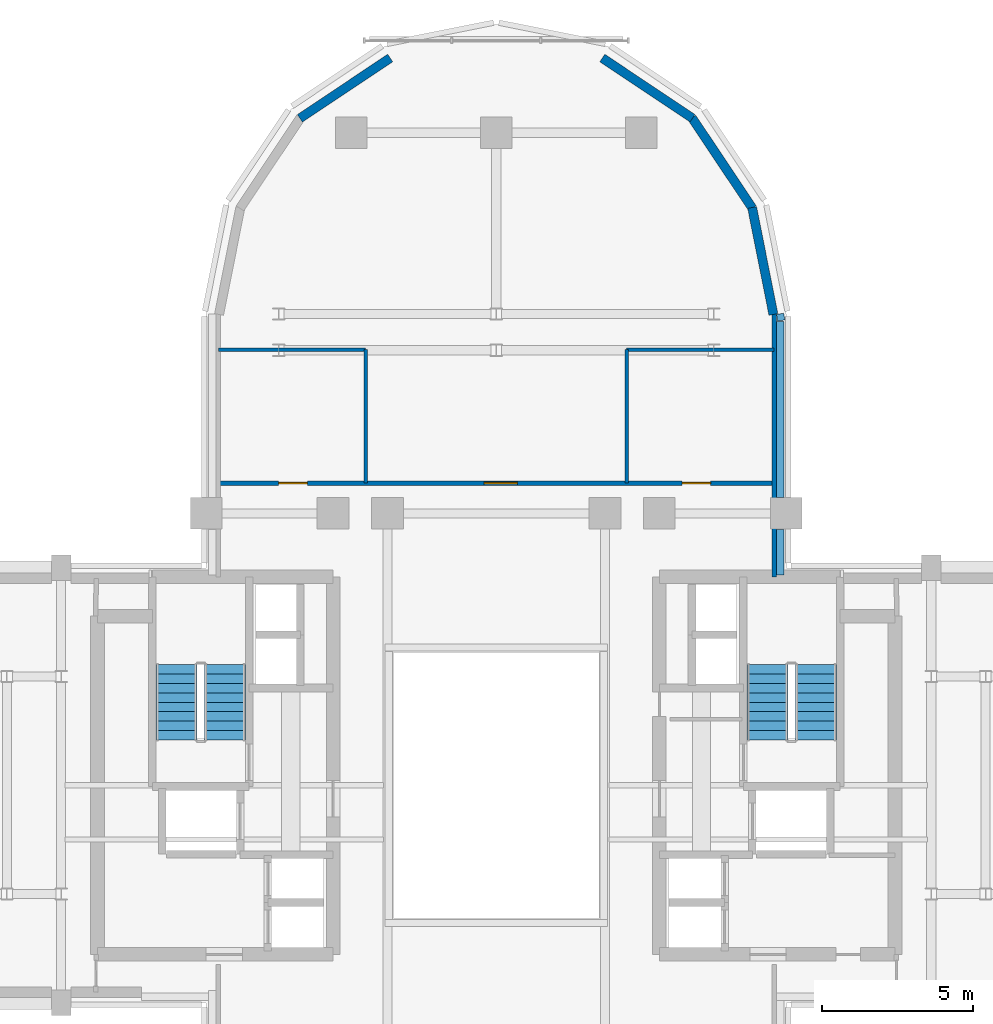
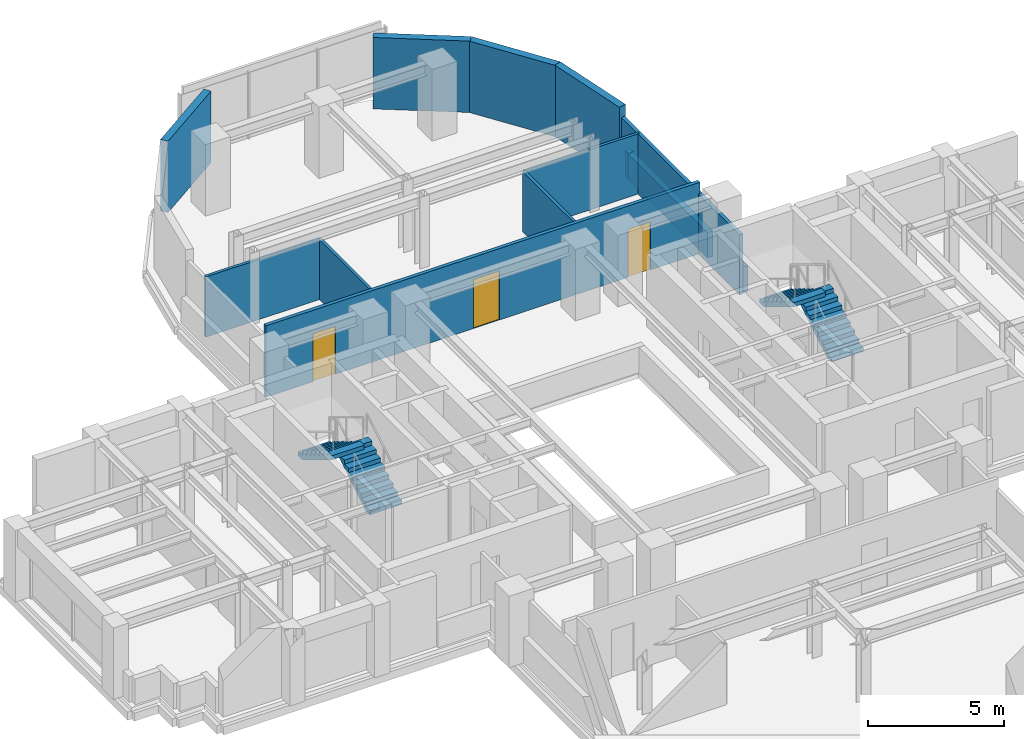
# One storey, part 10 of 13: 13 walls, 4 stair flights, 3 doors, 3 openings, 2 elements without a shape of their own.
"""IFC4 building model written with IfcOpenShell, lengths in metres."""

from ifc_helpers import new_model, si_unit, direction, frame, frame_2d, origin, place, context, subcontext, project, spatial, polyline, rectangle, outline, extrude, source, transform, mapped, material, layer, layer_set, type_object, element, fill, aggregate, save


model = new_model("IFC4")

# Units and contexts
model_context = context("Model", 3, precision=1e-05, world=origin(), true_north=direction((0.0, 1.0)))
body_context = subcontext(model_context, "Body", "Model", "MODEL_VIEW")
ifc_project = project(units=[si_unit("LENGTHUNIT", "METRE"), si_unit("AREAUNIT", "SQUARE_METRE"), si_unit("VOLUMEUNIT", "CUBIC_METRE"), si_unit("PLANEANGLEUNIT", "RADIAN"), si_unit("MASSUNIT", "GRAM", prefix="KILO")], contexts=[model_context])

# Site, building, storey
site_placement = place(None, origin())
site = spatial("IfcSite", under=ifc_project, at=site_placement, CompositionType="ELEMENT")
building_placement = place(site_placement, origin())
building = spatial("IfcBuilding", under=site, at=building_placement, Name="Keilestroom Media Tower", CompositionType="ELEMENT")
storey_placement = place(building_placement, frame((0.0, 0.0, 138.0)))
storey = spatial("IfcBuildingStorey", under=building, at=storey_placement, Name="L37", CompositionType="ELEMENT", Elevation=138.0)

# Walls
ifc_material_1 = material(Name="Precast concrete C40/50", Category="concrete")
ifc_layer_1 = layer(ifc_material_1, 0.300048828125)
ifc_layer_set_1 = layer_set([ifc_layer_1], Name="Precast concrete C40/50")
wall_type_1 = type_object("IfcWallType", Name="Exterior-Masonry-Spandrel-Wall-300", PredefinedType="SOLIDWALL", material=ifc_layer_set_1)
for number, where, z_axis, x_axis, name in (
    (1, (9.1748046875, 15.585205078125, 0.0), (0.0, 0.0, 1.0), (-0.195114232679, 0.980780523974, 0.0), "L37 Lobe Facet Precast Frame Wall 01"),
    (2, (8.48193359375, 19.097412109375, 0.0), (0.0, 0.0, 1.0), (-0.555574187116, 0.831466970246, 0.0), "L37 Lobe Facet Precast Frame Wall 02"),
):
    element("IfcWall", number, at=place(storey_placement, frame(where, z_axis=z_axis, x_axis=x_axis)), inside=storey, type_object=wall_type_1, Name=name, PredefinedType="SOLIDWALL", context=body_context, shape_type="SweptSolid", body=[
        extrude(rectangle(XDim=3.608642578125, YDim=0.300048828125, at=frame_2d((1.80419921875, 0.0))), origin(), (0.0, 0.0, 1.0), 3.199951171875),
    ])
for number, where, z_axis, x_axis, name in (
    (3, (6.497802734375, 22.0771484375, 0.0), (0.0, 0.0, 1.0), (-0.8314749531, 0.555562239868, 0.0), "L37 Lobe Facet Precast Frame Wall 03"),
    (4, (-3.510009765625, 24.073486328125, 0.0), (0.0, 0.0, 1.0), (-0.8314749531, -0.555562239868, 0.0), "L37 Lobe Facet Precast Frame Wall 04"),
):
    element("IfcWall", number, at=place(storey_placement, frame(where, z_axis=z_axis, x_axis=x_axis)), inside=storey, type_object=wall_type_1, Name=name, PredefinedType="SOLIDWALL", context=body_context, shape_type="SweptSolid", body=[
        extrude(rectangle(XDim=3.59326171875, YDim=0.300048828125, at=frame_2d((1.796630859375, 0.0))), origin(), (0.0, 0.0, 1.0), 3.199951171875),
    ])
ifc_material_2 = material(Name="Gypsum Plasterboard & Steel Stud", Category="steel")
ifc_layer_2 = layer(ifc_material_2, 0.1201171875)
ifc_layer_set_2 = layer_set([ifc_layer_2], Name="Gypsum Plasterboard & Steel Stud")
wall_type_2 = type_object("IfcWallType", Name="Interior-Partition-Wall-120", PredefinedType="PARTITIONING", material=ifc_layer_set_2)
for number, where, z_axis, x_axis, name in (
    (5, (-9.199951171875, 14.419921875, 0.0), (0.0, 0.0, 1.0), (1.0, 0.0, 0.0), "L37 Interior Wall WP-L37-NL-HW"),
    (6, (4.320068359375, 14.419921875, 0.0), (0.0, 0.0, 1.0), (1.0, 0.0, 0.0), "L37 Interior Wall WP-L37-NL-HE"),
):
    element("IfcWall", number, at=place(storey_placement, frame(where, z_axis=z_axis, x_axis=x_axis)), inside=storey, type_object=wall_type_2, Name=name, PredefinedType="PARTITIONING", context=body_context, shape_type="SweptSolid", body=[
        extrude(rectangle(XDim=4.8798828125, YDim=0.1201171875, at=frame_2d((2.43994140625, 0.0))), origin(), (0.0, 0.0, 1.0), 2.699951171875),
    ])
for number, where, z_axis, x_axis, name in (
    (7, (-4.320068359375, 10.0, 0.0), (0.0, 0.0, 1.0), (0.0, 1.0, 0.0), "L37 Interior Wall WP-L37-NL-VW2"),
    (8, (4.320068359375, 10.0, 0.0), (0.0, 0.0, 1.0), (0.0, 1.0, 0.0), "L37 Interior Wall WP-L37-NL-VE2"),
):
    element("IfcWall", number, at=place(storey_placement, frame(where, z_axis=z_axis, x_axis=x_axis)), inside=storey, type_object=wall_type_2, Name=name, PredefinedType="PARTITIONING", context=body_context, shape_type="SweptSolid", body=[
        extrude(rectangle(XDim=4.419921875, YDim=0.1201171875, at=frame_2d((2.2099609375, 0.0))), origin(), (0.0, 0.0, 1.0), 2.699951171875),
    ])

# Wall, openings, doors
ifc_layer_3 = layer(ifc_material_2, 0.14990234375)
ifc_layer_set_3 = layer_set([ifc_layer_3], Name="Gypsum Plasterboard & Steel Stud")
wall_type_3 = type_object("IfcWallType", Name="Interior-Partition-Wall-150", PredefinedType="PARTITIONING", material=ifc_layer_set_3)
wall_1_placement = place(storey_placement, frame((-9.199951171875, 10.0, 0.0), z_axis=(0.0, 0.0, 1.0), x_axis=(1.0, 0.0, 0.0)))
wall_1 = element("IfcWall", 9, at=wall_1_placement, inside=storey, type_object=wall_type_3, Name="L37 Interior Wall WP-L37-NL-BASE", PredefinedType="PARTITIONING", context=body_context, shape_type="SweptSolid", body=[
    extrude(rectangle(XDim=18.39990234375, YDim=0.14990234375, at=frame_2d((9.199951171875, 0.0))), origin(), (0.0, 0.0, 1.0), 3.199951171875),
])
opening_1_placement = place(wall_1_placement, frame((2.0, 0.0, 0.0)))
opening_1 = element("IfcOpeningElement", 10, at=opening_1_placement, cuts=wall_1, Name="Opening DI-03", PredefinedType="OPENING", context=body_context, shape_type="SweptSolid", body=[
    extrude(rectangle(XDim=0.949951171875, YDim=2.14990234375, at=frame_2d((0.47509765625, 1.074951171875))), frame((0.0, 0.0849609375, 0.0), z_axis=(0.0, -1.0, 0.0), x_axis=(1.0, 0.0, 0.0)), (0.0, 0.0, 1.0), 0.169921875),
])
opening_2_placement = place(wall_1_placement, frame((15.35009765625, 0.0, 0.0)))
opening_2 = element("IfcOpeningElement", 11, at=opening_2_placement, cuts=wall_1, Name="Opening DI-03", PredefinedType="OPENING", context=body_context, shape_type="SweptSolid", body=[
    extrude(rectangle(XDim=0.949951171875, YDim=2.14990234375, at=frame_2d((0.47509765625, 1.074951171875))), frame((0.0, 0.0849609375, 0.0), z_axis=(0.0, -1.0, 0.0), x_axis=(1.0, 0.0, 0.0)), (0.0, 0.0, 1.0), 0.169921875),
])
opening_3_placement = place(wall_1_placement, frame((8.800048828125, 0.0, 0.0)))
opening_3 = element("IfcOpeningElement", 12, at=opening_3_placement, cuts=wall_1, Name="Opening DI-04", PredefinedType="OPENING", context=body_context, shape_type="SweptSolid", body=[
    extrude(rectangle(XDim=1.10009765625, YDim=2.199951171875, at=frame_2d((0.550048828125, 1.10009765625))), frame((0.0, 0.0849609375, 0.0), z_axis=(0.0, -1.0, 0.0), x_axis=(1.0, 0.0, 0.0)), (0.0, 0.0, 1.0), 0.169921875),
])
ifc_material_3 = material(Name="Lacquered European Oak Leaf", Category="wood")
door_type_1 = type_object("IfcDoorType", Name="Interior-Room-And-Suite-Door-DI-03", OperationType="NOTDEFINED", PredefinedType="DOOR", material=ifc_material_3)
shared_shape_1 = source(origin(), body_context, "Body", "SweptSolid", [
    extrude(rectangle(XDim=0.949951171875, YDim=2.14990234375, at=frame_2d((0.47509765625, 1.074951171875))), frame((0.0, 0.02490234375, 0.0), z_axis=(0.0, -1.0, 0.0), x_axis=(1.0, 0.0, 0.0)), (0.0, 0.0, 1.0), 0.050048828125),
])
door_1_placement = place(opening_1_placement, origin())
door_1 = element("IfcDoor", 13, at=door_1_placement, inside=storey, type_object=door_type_1, Name="L37 Interior Door DI-L37-DNL-FRW", OperationType="SINGLE_SWING_LEFT", OverallHeight=2.14990234375, OverallWidth=0.949951171875, PredefinedType="DOOR", context=body_context, shape_type="MappedRepresentation", body=[
    mapped(shared_shape_1, transform((0.0, 0.0, 0.0), x_axis=(1.0, 0.0, 0.0), y_axis=(0.0, 1.0, 0.0), z_axis=(0.0, 0.0, 1.0), scale=1.0)),
])
fill(opening_1, door_1)
door_2_placement = place(opening_2_placement, origin())
door_2 = element("IfcDoor", 14, at=door_2_placement, inside=storey, type_object=door_type_1, Name="L37 Interior Door DI-L37-DNL-FRE", OperationType="SINGLE_SWING_RIGHT", OverallHeight=2.14990234375, OverallWidth=0.949951171875, PredefinedType="DOOR", context=body_context, shape_type="MappedRepresentation", body=[
    mapped(shared_shape_1, transform((0.0, 0.0, 0.0), x_axis=(1.0, 0.0, 0.0), y_axis=(0.0, 1.0, 0.0), z_axis=(0.0, 0.0, 1.0), scale=1.0)),
])
fill(opening_2, door_2)
ifc_material_4 = material(Name="Acoustic Glazed Aluminium Leaf", Category="aluminium")
door_type_2 = type_object("IfcDoorType", Name="Interior-Room-And-Suite-Door-DI-04", OperationType="NOTDEFINED", PredefinedType="DOOR", material=ifc_material_4)
shared_shape_2 = source(origin(), body_context, "Body", "SweptSolid", [
    extrude(rectangle(XDim=1.10009765625, YDim=2.199951171875, at=frame_2d((0.550048828125, 1.10009765625))), frame((0.0, 0.02490234375, 0.0), z_axis=(0.0, -1.0, 0.0), x_axis=(1.0, 0.0, 0.0)), (0.0, 0.0, 1.0), 0.050048828125),
])
door_3_placement = place(opening_3_placement, origin())
door_3 = element("IfcDoor", 15, at=door_3_placement, inside=storey, type_object=door_type_2, Name="L37 Interior Door DI-L37-DNL-REAR", OperationType="SINGLE_SWING_LEFT", OverallHeight=2.199951171875, OverallWidth=1.10009765625, PredefinedType="DOOR", context=body_context, shape_type="MappedRepresentation", body=[
    mapped(shared_shape_2, transform((0.0, 0.0, 0.0), x_axis=(1.0, 0.0, 0.0), y_axis=(0.0, 1.0, 0.0), z_axis=(0.0, 0.0, 1.0), scale=1.0)),
])
fill(opening_3, door_3)

# Walls
wall_2_placement = place(storey_placement, frame((9.199951171875, 6.89990234375, 0.0), z_axis=(0.0, 0.0, 1.0), x_axis=(0.0, 1.0, 0.0)))
element("IfcWall", 16, at=wall_2_placement, inside=storey, type_object=wall_type_3, Name="L37 Interior Wall WP-L37-NL-CHKE", PredefinedType="PARTITIONING", context=body_context, shape_type="SweptSolid", body=[
    extrude(rectangle(XDim=8.780029296875, YDim=0.14990234375, at=frame_2d((4.39013671875, 0.0))), origin(), (0.0, 0.0, 1.0), 2.699951171875),
])
ifc_layer_4 = layer(ifc_material_1, 0.239990234375)
ifc_layer_set_4 = layer_set([ifc_layer_4], Name="Precast concrete C40/50")
wall_type_4 = type_object("IfcWallType", Name="Roof-And-Terrace-Parapet-Wall-240", PredefinedType="PARAPET", material=ifc_layer_set_4)
wall_3_placement = place(storey_placement, frame((9.395263671875, 15.604248046875, 0.0), z_axis=(0.0, 0.0, 1.0), x_axis=(0.194652052864, -0.980872355771, 0.0)))
element("IfcWall", 17, at=wall_3_placement, inside=storey, type_object=wall_type_4, Name="L37 Perimeter Edge Parapet Wall 25", PredefinedType="PARAPET", context=body_context, shape_type="SweptSolid", body=[
    extrude(rectangle(XDim=0.224609375, YDim=0.239990234375, at=frame_2d((0.1123046875, 0.0))), origin(), (0.0, 0.0, 1.0), 1.14990234375),
])
wall_4_placement = place(storey_placement, frame((9.39990234375, 15.357666015625, 0.0), z_axis=(0.0, 0.0, 1.0), x_axis=(0.0, -1.0, 0.0)))
element("IfcWall", 18, at=wall_4_placement, inside=storey, type_object=wall_type_4, Name="L37 Perimeter Edge Parapet Wall 26", PredefinedType="PARAPET", context=body_context, shape_type="SweptSolid", body=[
    extrude(rectangle(XDim=5.82958984375, YDim=0.239990234375, at=frame_2d((2.914794921875, 0.0))), origin(), (0.0, 0.0, 1.0), 1.14990234375),
])
wall_5_placement = place(storey_placement, frame((9.39990234375, 8.471923828125, 0.0), z_axis=(0.0, 0.0, 1.0), x_axis=(0.0, -1.0, 0.0)))
element("IfcWall", 19, at=wall_5_placement, inside=storey, type_object=wall_type_4, Name="L37 Perimeter Edge Parapet Wall 27", PredefinedType="PARAPET", context=body_context, shape_type="SweptSolid", body=[
    extrude(rectangle(XDim=1.51904296875, YDim=0.239990234375, at=frame_2d((0.759521484375, 0.0))), origin(), (0.0, 0.0, 1.0), 1.14990234375),
])

# Stair, stair flights
ifc_material_5 = material(Name="Concrete C45/55", Category="concrete")
stair_type = type_object("IfcStairType", Name="Enclosed-Dog-Leg-Stair-ST-CORE", PredefinedType="HALF_TURN_STAIR", material=ifc_material_5)
stair_1_placement = place(storey_placement, origin())
stair_1 = element("IfcStair", 20, at=stair_1_placement, inside=storey, type_object=stair_type, Name="L37 West Core Escape Stair ST-1", PredefinedType="HALF_TURN_STAIR")
stair_flight_type = type_object("IfcStairFlightType", Name="Precast-Concrete-Stair-Flight-Core-160", PredefinedType="STRAIGHT", material=ifc_material_1)
stair_flight_1_placement = place(storey_placement, frame((-8.97998046875, 1.5, 0.0), z_axis=(0.0, 0.0, 1.0), x_axis=(0.0, 1.0, 0.0)))
stair_flight_1 = element("IfcStairFlight", 21, at=stair_flight_1_placement, type_object=stair_flight_type, Name="ST-1 flight 1", NumberOfRisers=9, NumberOfTreads=8, PredefinedType="STRAIGHT", RiserHeight=0.188888889, TreadLength=0.312, context=body_context, shape_type="SweptSolid", body=[
    extrude(outline(polyline([(0.0, 0.0), (0.0, 0.18896484375), (0.31201171875, 0.18896484375), (0.31201171875, 0.377685546875), (0.6240234375, 0.377685546875), (0.6240234375, 0.566650390625), (0.93603515625, 0.566650390625), (0.93603515625, 0.755615234375), (1.248046875, 0.755615234375), (1.248046875, 0.9443359375), (1.56005859375, 0.9443359375), (1.56005859375, 1.13330078125), (1.8720703125, 1.13330078125), (1.8720703125, 1.322265625), (2.18408203125, 1.322265625), (2.18408203125, 1.51123046875), (2.49609375, 1.51123046875), (2.49609375, 1.699951171875), (2.49609375, 1.32421875), (0.308837890625, 0.0), (0.0, 0.0)])), frame((0.0, 0.68017578125, 0.0), z_axis=(0.0, -1.0, 0.0), x_axis=(1.0, 0.0, 0.0)), (0.0, 0.0, 1.0), 1.360107421875),
])
stair_flight_2_placement = place(storey_placement, frame((-10.580078125, 3.99609375, 1.699951171875), z_axis=(0.0, 0.0, 1.0), x_axis=(0.0, -1.0, 0.0)))
stair_flight_2 = element("IfcStairFlight", 22, at=stair_flight_2_placement, type_object=stair_flight_type, Name="ST-1 flight 2", NumberOfRisers=9, NumberOfTreads=8, PredefinedType="STRAIGHT", RiserHeight=0.188888889, TreadLength=0.312, context=body_context, shape_type="SweptSolid", body=[
    extrude(outline(polyline([(0.0, 0.0), (0.0, 0.18896484375), (0.31201171875, 0.18896484375), (0.31201171875, 0.377685546875), (0.6240234375, 0.377685546875), (0.6240234375, 0.566650390625), (0.93603515625, 0.566650390625), (0.93603515625, 0.755615234375), (1.248046875, 0.755615234375), (1.248046875, 0.9443359375), (1.56005859375, 0.9443359375), (1.56005859375, 1.13330078125), (1.8720703125, 1.13330078125), (1.8720703125, 1.322265625), (2.18408203125, 1.322265625), (2.18408203125, 1.51123046875), (2.49609375, 1.51123046875), (2.49609375, 1.699951171875), (2.49609375, 1.32421875), (0.308837890625, 0.0), (0.0, 0.0)])), frame((0.0, 0.68017578125, 0.0), z_axis=(0.0, -1.0, 0.0), x_axis=(1.0, 0.0, 0.0)), (0.0, 0.0, 1.0), 1.360107421875),
])
aggregate(stair_1, [stair_flight_1, stair_flight_2])

stair_2_placement = place(storey_placement, origin())
stair_2 = element("IfcStair", 23, at=stair_2_placement, inside=storey, type_object=stair_type, Name="L37 East Core Escape Stair ST-2", PredefinedType="HALF_TURN_STAIR")
stair_flight_3_placement = place(storey_placement, frame((10.580078125, 1.5, 0.0), z_axis=(0.0, 0.0, 1.0), x_axis=(0.0, 1.0, 0.0)))
stair_flight_3 = element("IfcStairFlight", 24, at=stair_flight_3_placement, type_object=stair_flight_type, Name="ST-2 flight 1", NumberOfRisers=9, NumberOfTreads=8, PredefinedType="STRAIGHT", RiserHeight=0.188888889, TreadLength=0.312, context=body_context, shape_type="SweptSolid", body=[
    extrude(outline(polyline([(0.0, 0.0), (0.0, 0.18896484375), (0.31201171875, 0.18896484375), (0.31201171875, 0.377685546875), (0.6240234375, 0.377685546875), (0.6240234375, 0.566650390625), (0.93603515625, 0.566650390625), (0.93603515625, 0.755615234375), (1.248046875, 0.755615234375), (1.248046875, 0.9443359375), (1.56005859375, 0.9443359375), (1.56005859375, 1.13330078125), (1.8720703125, 1.13330078125), (1.8720703125, 1.322265625), (2.18408203125, 1.322265625), (2.18408203125, 1.51123046875), (2.49609375, 1.51123046875), (2.49609375, 1.699951171875), (2.49609375, 1.32421875), (0.308837890625, 0.0), (0.0, 0.0)])), frame((0.0, 0.68017578125, 0.0), z_axis=(0.0, -1.0, 0.0), x_axis=(1.0, 0.0, 0.0)), (0.0, 0.0, 1.0), 1.360107421875),
])
stair_flight_4_placement = place(storey_placement, frame((8.97998046875, 3.99609375, 1.699951171875), z_axis=(0.0, 0.0, 1.0), x_axis=(0.0, -1.0, 0.0)))
stair_flight_4 = element("IfcStairFlight", 25, at=stair_flight_4_placement, type_object=stair_flight_type, Name="ST-2 flight 2", NumberOfRisers=9, NumberOfTreads=8, PredefinedType="STRAIGHT", RiserHeight=0.188888889, TreadLength=0.312, context=body_context, shape_type="SweptSolid", body=[
    extrude(outline(polyline([(0.0, 0.0), (0.0, 0.18896484375), (0.31201171875, 0.18896484375), (0.31201171875, 0.377685546875), (0.6240234375, 0.377685546875), (0.6240234375, 0.566650390625), (0.93603515625, 0.566650390625), (0.93603515625, 0.755615234375), (1.248046875, 0.755615234375), (1.248046875, 0.9443359375), (1.56005859375, 0.9443359375), (1.56005859375, 1.13330078125), (1.8720703125, 1.13330078125), (1.8720703125, 1.322265625), (2.18408203125, 1.322265625), (2.18408203125, 1.51123046875), (2.49609375, 1.51123046875), (2.49609375, 1.699951171875), (2.49609375, 1.32421875), (0.308837890625, 0.0), (0.0, 0.0)])), frame((0.0, 0.68017578125, 0.0), z_axis=(0.0, -1.0, 0.0), x_axis=(1.0, 0.0, 0.0)), (0.0, 0.0, 1.0), 1.360107421875),
])
aggregate(stair_2, [stair_flight_3, stair_flight_4])

save(model, "model.ifc")
